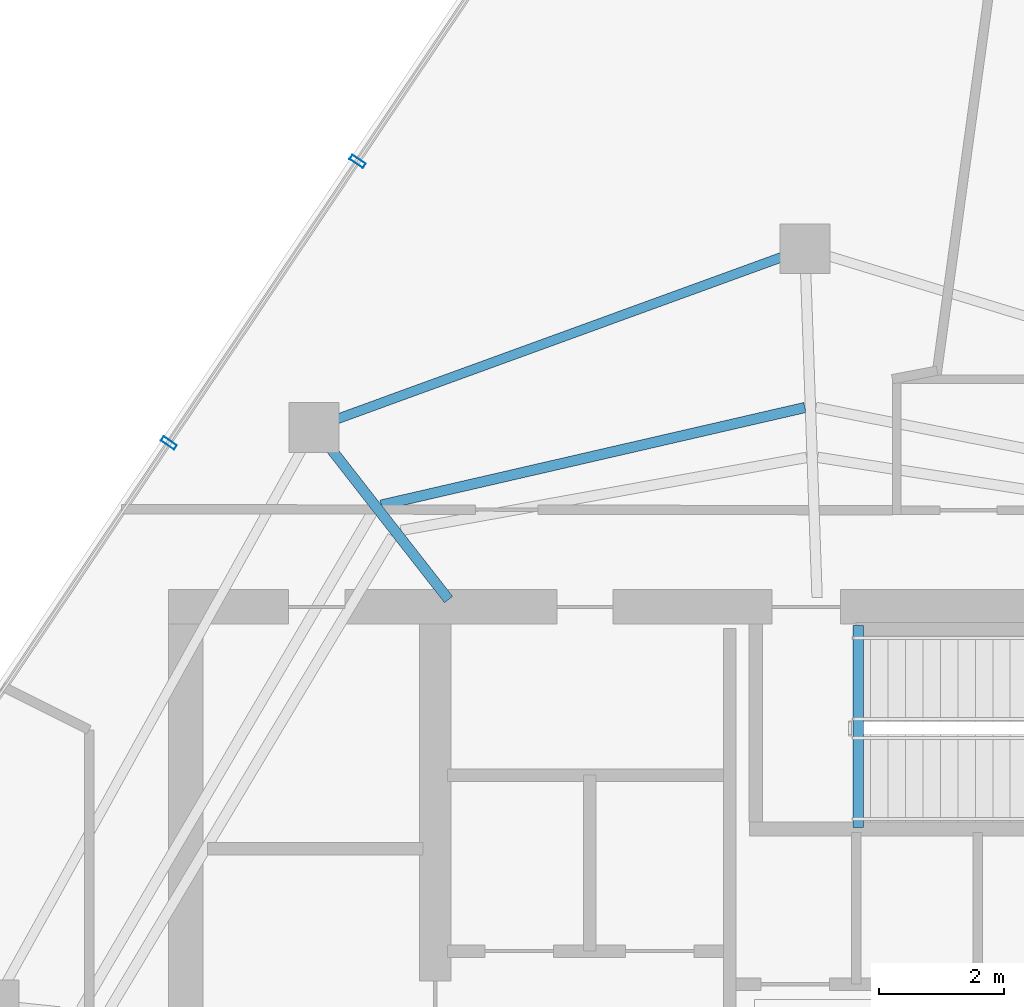
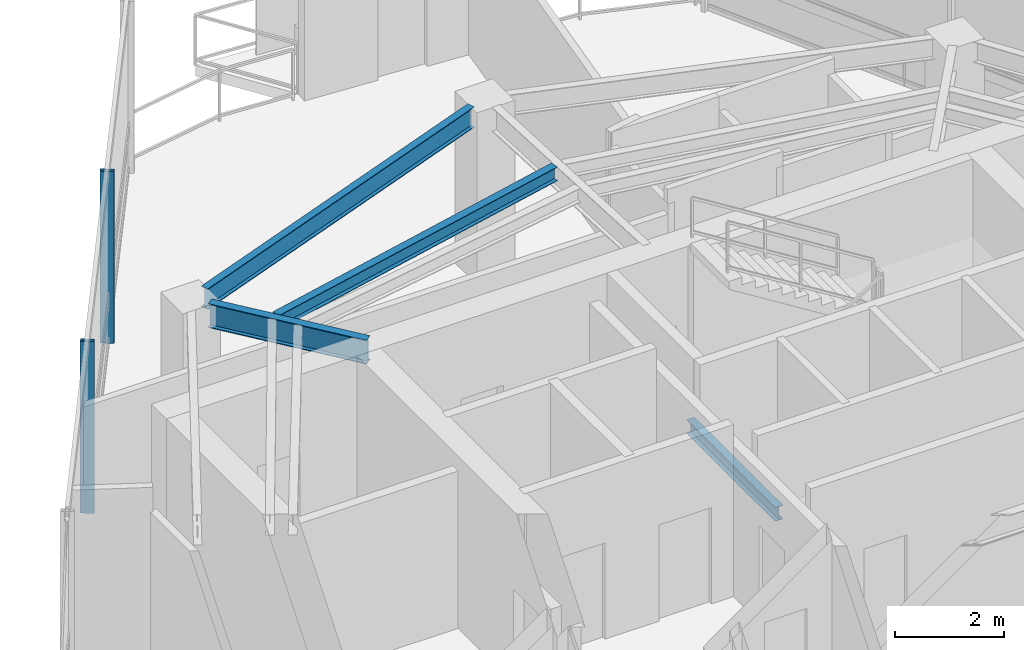
# One storey, part 8 of 18: 4 beams, 2 members, 1 element without a shape of its own.
"""IFC4 building model written with IfcOpenShell, lengths in metres."""

from ifc_helpers import new_model, si_unit, direction, frame, origin, origin_2d, place, context, subcontext, project, spatial, hollow_rectangle, i_section, extrude, material, layer, layer_set, material_profile, profile_set, type_object, element, aggregate, save


model = new_model("IFC4")

# Units and contexts
model_context = context("Model", 3, precision=1e-05, world=origin(), true_north=direction((0.0, 1.0)))
body_context = subcontext(model_context, "Body", "Model", "MODEL_VIEW")
ifc_project = project(units=[si_unit("LENGTHUNIT", "METRE"), si_unit("AREAUNIT", "SQUARE_METRE"), si_unit("VOLUMEUNIT", "CUBIC_METRE"), si_unit("PLANEANGLEUNIT", "RADIAN"), si_unit("MASSUNIT", "GRAM", prefix="KILO")], contexts=[model_context])

# Site, building, storey
site_placement = place(None, origin())
site = spatial("IfcSite", under=ifc_project, at=site_placement, CompositionType="ELEMENT")
building_placement = place(site_placement, origin())
building = spatial("IfcBuilding", under=site, at=building_placement, Name="Qarnah Convention Tower", CompositionType="ELEMENT")
storey_placement = place(building_placement, frame((0.0, 0.0, 279.300048828125)))
storey = spatial("IfcBuildingStorey", under=building, at=storey_placement, Name="L75", CompositionType="ELEMENT", Elevation=279.300048828125)

# Beams
ifc_material_1 = material(Name="Structural steel S355JR", Category="steel")
ifc_material_profile_1 = material_profile(ifc_material_1, i_section(OverallWidth=0.166015625, OverallDepth=0.31201171875, WebThickness=0.007080078125, FlangeThickness=0.010986328125, at=origin_2d()), Name="W310X45")
ifc_profile_set_1 = profile_set([ifc_material_profile_1], Name="Structural steel S355JR")
beam_type_1 = type_object("IfcBeamType", Name="BM-JST-W310", PredefinedType="JOIST", material=ifc_profile_set_1)
beam_1_placement = place(storey_placement, frame((37.5830078125, 30.659912109375, -0.156005859375), z_axis=(0.0, 1.0, 0.0), x_axis=(-1.0, 0.0, 0.0)))
element("IfcBeam", 1, at=beam_1_placement, inside=storey, type_object=beam_type_1, Name="L75 stair landing trimmer beam BM-L75-ST3-TRM", PredefinedType="BEAM", context=body_context, shape_type="SweptSolid", body=[
    extrude(i_section(OverallWidth=0.166015625, OverallDepth=0.31201171875, WebThickness=0.007080078125, FlangeThickness=0.010986328125, at=origin_2d()), origin(), (0.0, 0.0, 1.0), 3.239990234375),
])
beam_2_placement = place(storey_placement, frame((36.72705078125, 37.39599609375, 3.683837890625), z_axis=(-0.974498532047, -0.224393874777, 0.0), x_axis=(0.224393874777, -0.974498532047, 0.0)))
element("IfcBeam", 2, at=beam_2_placement, inside=storey, type_object=beam_type_1, Name="L75 joist BM-L75-SJST-03", PredefinedType="JOIST", context=body_context, shape_type="SweptSolid", body=[
    extrude(i_section(OverallWidth=0.166015625, OverallDepth=0.31201171875, WebThickness=0.007080078125, FlangeThickness=0.010986328125, at=origin_2d()), origin(), (0.0, 0.0, 1.0), 6.9697265625),
])
ifc_material_profile_2 = material_profile(ifc_material_1, i_section(OverallWidth=0.166015625, OverallDepth=0.535888671875, WebThickness=0.010009765625, FlangeThickness=0.01708984375, at=origin_2d()), Name="W530X85")
ifc_profile_set_2 = profile_set([ifc_material_profile_2], Name="Structural steel S355JR")
beam_type_2 = type_object("IfcBeamType", Name="BM-RAD-W530B", PredefinedType="BEAM", material=ifc_profile_set_2)
beam_3_placement = place(storey_placement, frame((31.013916015625, 34.318115234375, 3.572021484375), z_axis=(-0.61549837076, 0.78813815768, 0.0), x_axis=(-0.78813815768, -0.61549837076, 0.0)))
element("IfcBeam", 3, at=beam_3_placement, inside=storey, type_object=beam_type_2, Name="L75 beam BM-L75-RAD-04", PredefinedType="BEAM", context=body_context, shape_type="SweptSolid", body=[
    extrude(i_section(OverallWidth=0.166015625, OverallDepth=0.535888671875, WebThickness=0.010009765625, FlangeThickness=0.01708984375, at=origin_2d()), origin(), (0.0, 0.0, 1.0), 3.12255859375),
])
ifc_material_profile_3 = material_profile(ifc_material_1, i_section(OverallWidth=0.154052734375, OverallDepth=0.4599609375, WebThickness=0.009033203125, FlangeThickness=0.014892578125, at=origin_2d()), Name="W460X68")
ifc_profile_set_3 = profile_set([ifc_material_profile_3], Name="Structural steel S355JR")
beam_type_3 = type_object("IfcBeamType", Name="BM-SPN-W460B", PredefinedType="SPANDREL", material=ifc_profile_set_3)
beam_4_placement = place(storey_placement, frame((36.361083984375, 39.80908203125, 3.60986328125), z_axis=(-0.939671356419, -0.342078561044, 0.0), x_axis=(0.342078561044, -0.939671356419, 0.0)))
element("IfcBeam", 4, at=beam_4_placement, inside=storey, type_object=beam_type_3, Name="L75 spandrel BM-L75-SPN-03", PredefinedType="SPANDREL", context=body_context, shape_type="SweptSolid", body=[
    extrude(i_section(OverallWidth=0.154052734375, OverallDepth=0.4599609375, WebThickness=0.009033203125, FlangeThickness=0.014892578125, at=origin_2d()), origin(), (0.0, 0.0, 1.0), 7.59521484375),
])

# Curtain wall, members
ifc_material_2 = material(Name="Tempered Low-E dark glass", Category="glass")
ifc_layer = layer(ifc_material_2, 0.177978515625)
ifc_layer_set = layer_set([ifc_layer], Name="Tempered Low-E dark glass")
curtain_wall_type = type_object("IfcCurtainWallType", Name="CWS-06", PredefinedType="NOTDEFINED", material=ifc_layer_set)
curtain_wall_placement = place(storey_placement, origin())
curtain_wall = element("IfcCurtainWall", 5, at=curtain_wall_placement, inside=storey, type_object=curtain_wall_type, Name="L75 unitised curtain wall CW-L75-F2", PredefinedType="NOTDEFINED")
ifc_material_3 = material(Name="Black anodised aluminium", Category="aluminium")
ifc_material_profile_4 = material_profile(ifc_material_3, hollow_rectangle(XDim=0.0849609375, YDim=0.260009765625, WallThickness=0.006103515625, at=origin_2d()), Name="MUL-85X260")
ifc_profile_set_4 = profile_set([ifc_material_profile_4], Name="Black anodised aluminium")
member_type = type_object("IfcMemberType", Name="MUL-T6", PredefinedType="MULLION", material=ifc_profile_set_4)
member_1_placement = place(storey_placement, frame((26.52783203125, 36.827880859375, 0.0), z_axis=(0.0, 0.0, 1.0), x_axis=(0.55685450921, 0.830610050247, 0.0)))
member_1 = element("IfcMember", 6, at=member_1_placement, type_object=member_type, Name="CW-L75-F2 mullion 4", PredefinedType="MULLION", context=body_context, shape_type="SweptSolid", body=[
    extrude(hollow_rectangle(XDim=0.0849609375, YDim=0.260009765625, WallThickness=0.006103515625, at=origin_2d()), origin(), (0.0, 0.0, 1.0), 3.83984375),
])
member_2_placement = place(storey_placement, frame((29.555419921875, 41.343994140625, 0.0), z_axis=(0.0, 0.0, 1.0), x_axis=(0.55685450921, 0.830610050247, 0.0)))
member_2 = element("IfcMember", 7, at=member_2_placement, type_object=member_type, Name="CW-L75-F2 mullion 5", PredefinedType="MULLION", context=body_context, shape_type="SweptSolid", body=[
    extrude(hollow_rectangle(XDim=0.0849609375, YDim=0.260009765625, WallThickness=0.006103515625, at=origin_2d()), origin(), (0.0, 0.0, 1.0), 3.83984375),
])
aggregate(curtain_wall, [member_1, member_2])

save(model, "model.ifc")
